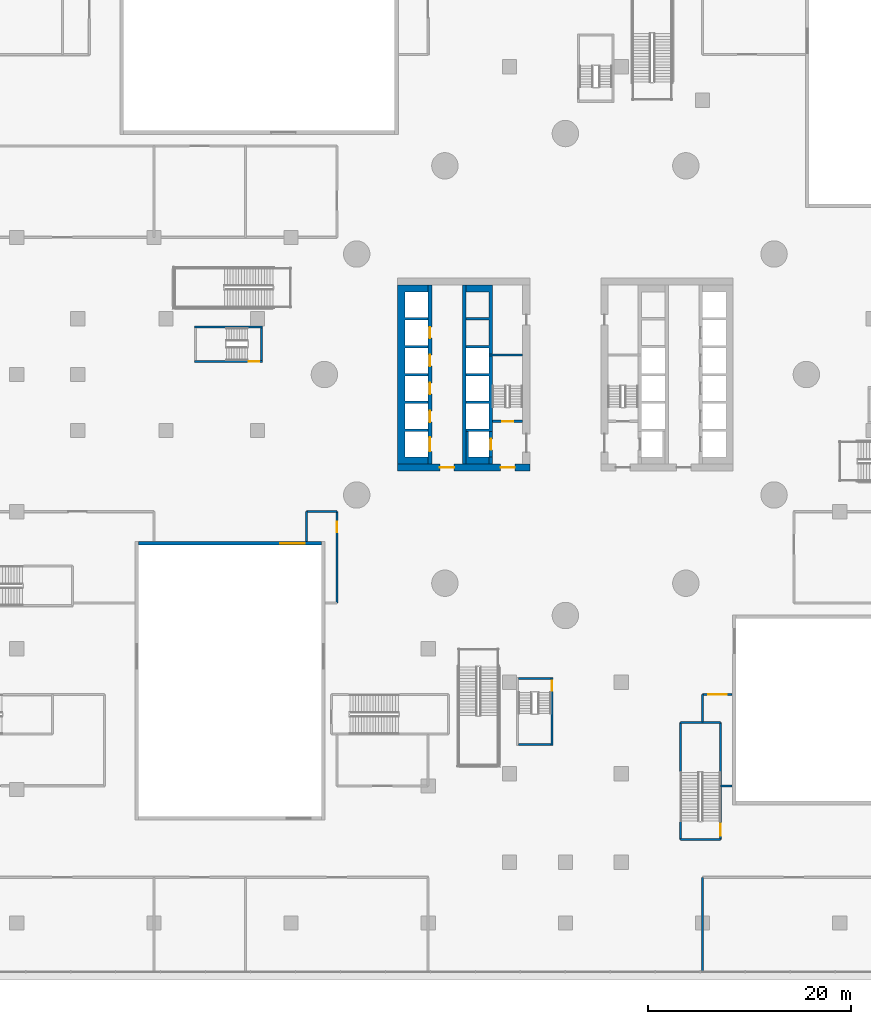
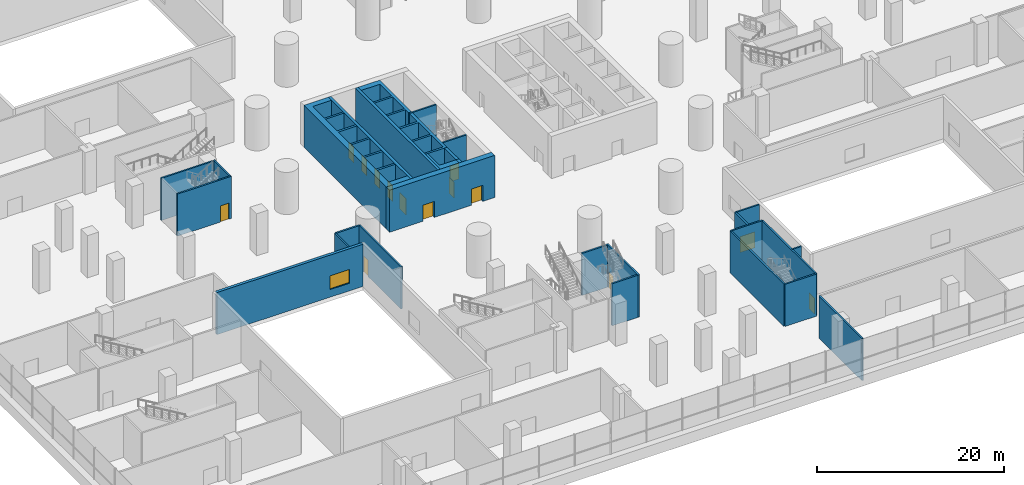
# One storey, part 29 of 52: 28 walls, 14 doors, 1 window, 15 openings.
"""IFC4 building model written with IfcOpenShell, lengths in metres."""

from ifc_helpers import new_model, si_unit, direction, frame, frame_2d, origin, place, context, subcontext, project, spatial, polyline, rectangle, outline, extrude, material, layer, layer_set, type_object, element, fill, save


model = new_model("IFC4")

# Units and contexts
model_context = context("Model", 3, precision=1e-05, world=origin(), true_north=direction((0.0, 1.0)))
body_context = subcontext(model_context, "Body", "Model", "MODEL_VIEW")
ifc_project = project(units=[si_unit("LENGTHUNIT", "METRE"), si_unit("AREAUNIT", "SQUARE_METRE"), si_unit("VOLUMEUNIT", "CUBIC_METRE"), si_unit("PLANEANGLEUNIT", "RADIAN"), si_unit("MASSUNIT", "GRAM", prefix="KILO")], contexts=[model_context])

# Site, building, storey
site_placement = place(None, origin())
site = spatial("IfcSite", under=ifc_project, at=site_placement, CompositionType="ELEMENT")
building_placement = place(site_placement, origin())
building = spatial("IfcBuilding", under=site, at=building_placement, Name="Tamarind Cross Interchange Tower", CompositionType="ELEMENT")
storey_placement = place(building_placement, frame((0.0, 0.0, 9.0)))
storey = spatial("IfcBuildingStorey", under=building, at=storey_placement, Name="L01", CompositionType="ELEMENT", Elevation=9.0)

# Wall, openings, doors
ifc_material_1 = material(Name="Concrete C80", Category="concrete")
ifc_layer_1 = layer(ifc_material_1, 0.699951171875)
ifc_layer_set_1 = layer_set([ifc_layer_1], Name="Concrete C80")
wall_type_1 = type_object("IfcWallType", Name="Core wall 700 mm Concrete C80", PredefinedType="SHEAR", material=ifc_layer_set_1)
wall_1_placement = place(storey_placement, frame((-16.5, -9.14990234375, 0.0), z_axis=(0.0, 0.0, 1.0), x_axis=(1.0, 0.0, 0.0)))
wall_1 = element("IfcWall", 1, at=wall_1_placement, inside=storey, type_object=wall_type_1, Name="Core wall CWL-L01-W-S", PredefinedType="SHEAR", context=body_context, shape_type="SweptSolid", body=[
    extrude(rectangle(XDim=13.0, YDim=0.699951171875, at=frame_2d((6.5, 0.0))), origin(), (0.0, 0.0, 1.0), 5.5),
])
opening_1_placement = place(wall_1_placement, frame((4.14990234375, 0.0, 0.0)))
opening_1 = element("IfcOpeningElement", 2, at=opening_1_placement, cuts=wall_1, Name="Opening DCW1", PredefinedType="OPENING", context=body_context, shape_type="SweptSolid", body=[
    extrude(rectangle(XDim=1.39990234375, YDim=2.10009765625, at=frame_2d((0.699951171875, 1.050048828125))), frame((0.0, 0.35986328125, 0.0), z_axis=(0.0, -1.0, 0.0), x_axis=(1.0, 0.0, 0.0)), (0.0, 0.0, 1.0), 0.719970703125),
])
opening_2_placement = place(wall_1_placement, frame((10.125, 0.0, 0.0)))
opening_2 = element("IfcOpeningElement", 3, at=opening_2_placement, cuts=wall_1, Name="Opening DCWF", PredefinedType="OPENING", context=body_context, shape_type="SweptSolid", body=[
    extrude(rectangle(XDim=1.39990234375, YDim=2.10009765625, at=frame_2d((0.699951171875, 1.050048828125))), frame((0.0, 0.35986328125, 0.0), z_axis=(0.0, -1.0, 0.0), x_axis=(1.0, 0.0, 0.0)), (0.0, 0.0, 1.0), 0.719970703125),
])
ifc_material_2 = material(Name="Steel, fire-resisting", Category="steel")
door_type_1 = type_object("IfcDoorType", Name="Core fire door 1400 x 2100 FD90", OperationType="SINGLE_SWING_LEFT", PredefinedType="DOOR", material=ifc_material_2)
door_1_placement = place(opening_1_placement, origin())
door_1 = element("IfcDoor", 4, at=door_1_placement, inside=storey, type_object=door_type_1, Name="L01 lift lobby door", OperationType="SINGLE_SWING_LEFT", OverallHeight=2.10009765625, OverallWidth=1.39990234375, PredefinedType="DOOR", context=body_context, shape_type="SweptSolid", body=[
    extrude(rectangle(XDim=1.39990234375, YDim=2.10009765625, at=frame_2d((0.699951171875, 1.050048828125))), frame((0.0, 0.02490234375, 0.0), z_axis=(0.0, -1.0, 0.0), x_axis=(1.0, 0.0, 0.0)), (0.0, 0.0, 1.0), 0.050048828125),
])
fill(opening_1, door_1)
door_2_placement = place(opening_2_placement, origin())
door_2 = element("IfcDoor", 5, at=door_2_placement, inside=storey, type_object=door_type_1, Name="L01 firefighting lobby end door", OperationType="SINGLE_SWING_LEFT", OverallHeight=2.10009765625, OverallWidth=1.39990234375, PredefinedType="DOOR", context=body_context, shape_type="SweptSolid", body=[
    extrude(rectangle(XDim=1.39990234375, YDim=2.10009765625, at=frame_2d((0.699951171875, 1.050048828125))), frame((0.0, 0.02490234375, 0.0), z_axis=(0.0, -1.0, 0.0), x_axis=(1.0, 0.0, 0.0)), (0.0, 0.0, 1.0), 0.050048828125),
])
fill(opening_2, door_2)

# Walls
wall_2_placement = place(storey_placement, origin())
element("IfcWall", 6, at=wall_2_placement, inside=storey, type_object=wall_type_1, Name="Core wall CWL-L01-W-A", PredefinedType="SHEAR", context=body_context, shape_type="SweptSolid", body=[
    extrude(outline(polyline([(-13.5, -8.800048828125), (-13.5, -8.125), (-15.800048828125, -8.125), (-15.800048828125, -5.625), (-13.5, -5.625), (-13.5, -5.375), (-15.800048828125, -5.375), (-15.800048828125, -2.875), (-13.5, -2.875), (-13.5, -2.625), (-15.800048828125, -2.625), (-15.800048828125, -0.125), (-13.5, -0.125), (-13.5, 0.125), (-15.800048828125, 0.125), (-15.800048828125, 2.625), (-13.5, 2.625), (-13.5, 2.875), (-15.800048828125, 2.875), (-15.800048828125, 5.375), (-13.5, 5.375), (-13.5, 5.625), (-15.800048828125, 5.625), (-15.800048828125, 8.125), (-13.5, 8.125), (-13.5, 8.800048828125), (-15.800048828125, 8.800048828125), (-16.5, 8.800048828125), (-16.5, -8.800048828125), (-15.800048828125, -8.800048828125), (-13.5, -8.800048828125)])), origin(), (0.0, 0.0, 1.0), 5.5),
])
ifc_layer_2 = layer(ifc_material_1, 0.199951171875)
ifc_layer_set_2 = layer_set([ifc_layer_2], Name="Concrete C80")
wall_type_2 = type_object("IfcWallType", Name="Core web wall 200 mm Concrete C80", PredefinedType="SHEAR", material=ifc_layer_set_2)
wall_3_placement = place(storey_placement, frame((-7.5, 1.89990234375, 0.0), z_axis=(0.0, 0.0, 1.0), x_axis=(1.0, 0.0, 0.0)))
element("IfcWall", 7, at=wall_3_placement, inside=storey, type_object=wall_type_2, Name="Core wall CWL-L01-W-BD", PredefinedType="SHEAR", context=body_context, shape_type="SweptSolid", body=[
    extrude(rectangle(XDim=3.300048828125, YDim=0.199951171875, at=frame_2d((1.64990234375, 0.0))), origin(), (0.0, 0.0, 1.0), 5.5),
])
ifc_layer_3 = layer(ifc_material_1, 0.35009765625)
ifc_layer_set_3 = layer_set([ifc_layer_3], Name="Concrete C80")
wall_type_3 = type_object("IfcWallType", Name="Core web wall 350 mm Concrete C80", PredefinedType="SHEAR", material=ifc_layer_set_3)
wall_4_placement = place(storey_placement, origin())
element("IfcWall", 8, at=wall_4_placement, inside=storey, type_object=wall_type_3, Name="Core wall CWL-L01-W-BN", PredefinedType="SHEAR", context=body_context, shape_type="SweptSolid", body=[
    extrude(outline(polyline([(-9.800048828125, -5.375), (-9.800048828125, -5.625), (-7.5, -5.625), (-7.14990234375, -5.625), (-7.14990234375, 8.800048828125), (-7.5, 8.800048828125), (-9.800048828125, 8.800048828125), (-9.800048828125, 8.125), (-7.5, 8.125), (-7.5, 5.625), (-9.800048828125, 5.625), (-9.800048828125, 5.375), (-7.5, 5.375), (-7.5, 2.875), (-9.800048828125, 2.875), (-9.800048828125, 2.625), (-7.5, 2.625), (-7.5, 0.125), (-9.800048828125, 0.125), (-9.800048828125, -0.125), (-7.5, -0.125), (-7.5, -2.625), (-9.800048828125, -2.625), (-9.800048828125, -2.875), (-7.5, -2.875), (-7.5, -5.375), (-9.800048828125, -5.375)])), origin(), (0.0, 0.0, 1.0), 5.5),
])
wall_5_placement = place(storey_placement, origin())
element("IfcWall", 9, at=wall_5_placement, inside=storey, type_object=wall_type_3, Name="Core wall CWL-L01-W-BS", PredefinedType="SHEAR", context=body_context, shape_type="SweptSolid", body=[
    extrude(outline(polyline([(-7.5, -8.125), (-9.550048828125, -8.125), (-9.550048828125, -5.625), (-9.800048828125, -5.625), (-9.800048828125, -8.125), (-9.800048828125, -8.800048828125), (-7.5, -8.800048828125), (-7.5, -8.125)])), origin(), (0.0, 0.0, 1.0), 5.5),
])
wall_6_placement = place(storey_placement, frame((-7.324951171875, -8.800048828125, 0.0), z_axis=(0.0, 0.0, 1.0), x_axis=(0.0, 1.0, 0.0)))
element("IfcWall", 10, at=wall_6_placement, inside=storey, type_object=wall_type_3, Name="Core wall CWL-L01-W-BW", PredefinedType="SHEAR", context=body_context, shape_type="SweptSolid", body=[
    extrude(rectangle(XDim=0.675048828125, YDim=0.35009765625, at=frame_2d((0.33740234375, 0.0))), origin(), (0.0, 0.0, 1.0), 5.5),
])

# Wall, openings, doors
wall_7_placement = place(storey_placement, frame((-13.324951171875, -8.800048828125, 0.0), z_axis=(0.0, 0.0, 1.0), x_axis=(0.0, 1.0, 0.0)))
wall_7 = element("IfcWall", 11, at=wall_7_placement, inside=storey, type_object=wall_type_3, Name="Core wall CWL-L01-W-LA", PredefinedType="SHEAR", context=body_context, shape_type="SweptSolid", body=[
    extrude(rectangle(XDim=17.60009765625, YDim=0.35009765625, at=frame_2d((8.800048828125, 0.0))), origin(), (0.0, 0.0, 1.0), 5.5),
])
opening_3_placement = place(wall_7_placement, frame((1.22509765625, 0.0, 0.0)))
opening_3 = element("IfcOpeningElement", 12, at=opening_3_placement, cuts=wall_7, Name="Opening LD1L01", PredefinedType="OPENING", context=body_context, shape_type="SweptSolid", body=[
    extrude(rectangle(XDim=1.39990234375, YDim=2.10009765625, at=frame_2d((0.699951171875, 1.050048828125))), frame((0.0, 0.18505859375, 0.0), z_axis=(0.0, -1.0, 0.0), x_axis=(1.0, 0.0, 0.0)), (0.0, 0.0, 1.0), 0.3701171875),
])
opening_4_placement = place(wall_7_placement, frame((4.125, 0.0, 0.0)))
opening_4 = element("IfcOpeningElement", 13, at=opening_4_placement, cuts=wall_7, Name="Opening LD2L01", PredefinedType="OPENING", context=body_context, shape_type="SweptSolid", body=[
    extrude(rectangle(XDim=1.10009765625, YDim=2.10009765625, at=frame_2d((0.550048828125, 1.050048828125))), frame((0.0, 0.18505859375, 0.0), z_axis=(0.0, -1.0, 0.0), x_axis=(1.0, 0.0, 0.0)), (0.0, 0.0, 1.0), 0.3701171875),
])
opening_5_placement = place(wall_7_placement, frame((6.875, 0.0, 0.0)))
opening_5 = element("IfcOpeningElement", 14, at=opening_5_placement, cuts=wall_7, Name="Opening LD3L01", PredefinedType="OPENING", context=body_context, shape_type="SweptSolid", body=[
    extrude(rectangle(XDim=1.10009765625, YDim=2.10009765625, at=frame_2d((0.550048828125, 1.050048828125))), frame((0.0, 0.18505859375, 0.0), z_axis=(0.0, -1.0, 0.0), x_axis=(1.0, 0.0, 0.0)), (0.0, 0.0, 1.0), 0.3701171875),
])
opening_6_placement = place(wall_7_placement, frame((9.625, 0.0, 0.0)))
opening_6 = element("IfcOpeningElement", 15, at=opening_6_placement, cuts=wall_7, Name="Opening LD4L01", PredefinedType="OPENING", context=body_context, shape_type="SweptSolid", body=[
    extrude(rectangle(XDim=1.10009765625, YDim=2.10009765625, at=frame_2d((0.550048828125, 1.050048828125))), frame((0.0, 0.18505859375, 0.0), z_axis=(0.0, -1.0, 0.0), x_axis=(1.0, 0.0, 0.0)), (0.0, 0.0, 1.0), 0.3701171875),
])
opening_7_placement = place(wall_7_placement, frame((12.375, 0.0, 0.0)))
opening_7 = element("IfcOpeningElement", 16, at=opening_7_placement, cuts=wall_7, Name="Opening LD5L01", PredefinedType="OPENING", context=body_context, shape_type="SweptSolid", body=[
    extrude(rectangle(XDim=1.10009765625, YDim=2.10009765625, at=frame_2d((0.550048828125, 1.050048828125))), frame((0.0, 0.18505859375, 0.0), z_axis=(0.0, -1.0, 0.0), x_axis=(1.0, 0.0, 0.0)), (0.0, 0.0, 1.0), 0.3701171875),
])
ifc_material_3 = material(Name="Stainless steel panel", Category="steel")
door_type_2 = type_object("IfcDoorType", Name="Lift landing door 1100 x 2100 E 120", OperationType="SLIDING_TO_LEFT", PredefinedType="DOOR", material=ifc_material_3)
door_3_placement = place(opening_4_placement, origin())
door_3 = element("IfcDoor", 17, at=door_3_placement, inside=storey, type_object=door_type_2, Name="L01 landing door LF2", OperationType="SLIDING_TO_LEFT", OverallHeight=2.10009765625, OverallWidth=1.10009765625, PredefinedType="DOOR", context=body_context, shape_type="SweptSolid", body=[
    extrude(rectangle(XDim=1.10009765625, YDim=2.10009765625, at=frame_2d((0.550048828125, 1.050048828125))), frame((0.0, 0.02490234375, 0.0), z_axis=(0.0, -1.0, 0.0), x_axis=(1.0, 0.0, 0.0)), (0.0, 0.0, 1.0), 0.050048828125),
])
fill(opening_4, door_3)
door_4_placement = place(opening_5_placement, origin())
door_4 = element("IfcDoor", 18, at=door_4_placement, inside=storey, type_object=door_type_2, Name="L01 landing door LF3", OperationType="SLIDING_TO_LEFT", OverallHeight=2.10009765625, OverallWidth=1.10009765625, PredefinedType="DOOR", context=body_context, shape_type="SweptSolid", body=[
    extrude(rectangle(XDim=1.10009765625, YDim=2.10009765625, at=frame_2d((0.550048828125, 1.050048828125))), frame((0.0, 0.02490234375, 0.0), z_axis=(0.0, -1.0, 0.0), x_axis=(1.0, 0.0, 0.0)), (0.0, 0.0, 1.0), 0.050048828125),
])
fill(opening_5, door_4)
door_5_placement = place(opening_6_placement, origin())
door_5 = element("IfcDoor", 19, at=door_5_placement, inside=storey, type_object=door_type_2, Name="L01 landing door LF4", OperationType="SLIDING_TO_LEFT", OverallHeight=2.10009765625, OverallWidth=1.10009765625, PredefinedType="DOOR", context=body_context, shape_type="SweptSolid", body=[
    extrude(rectangle(XDim=1.10009765625, YDim=2.10009765625, at=frame_2d((0.550048828125, 1.050048828125))), frame((0.0, 0.02490234375, 0.0), z_axis=(0.0, -1.0, 0.0), x_axis=(1.0, 0.0, 0.0)), (0.0, 0.0, 1.0), 0.050048828125),
])
fill(opening_6, door_5)
door_6_placement = place(opening_7_placement, origin())
door_6 = element("IfcDoor", 20, at=door_6_placement, inside=storey, type_object=door_type_2, Name="L01 landing door LF5", OperationType="SLIDING_TO_LEFT", OverallHeight=2.10009765625, OverallWidth=1.10009765625, PredefinedType="DOOR", context=body_context, shape_type="SweptSolid", body=[
    extrude(rectangle(XDim=1.10009765625, YDim=2.10009765625, at=frame_2d((0.550048828125, 1.050048828125))), frame((0.0, 0.02490234375, 0.0), z_axis=(0.0, -1.0, 0.0), x_axis=(1.0, 0.0, 0.0)), (0.0, 0.0, 1.0), 0.050048828125),
])
fill(opening_7, door_6)
door_type_3 = type_object("IfcDoorType", Name="Lift landing door 1400 x 2100 E 120", OperationType="SLIDING_TO_LEFT", PredefinedType="DOOR", material=ifc_material_3)
door_7_placement = place(opening_3_placement, origin())
door_7 = element("IfcDoor", 21, at=door_7_placement, inside=storey, type_object=door_type_3, Name="L01 landing door LF1", OperationType="SLIDING_TO_LEFT", OverallHeight=2.10009765625, OverallWidth=1.39990234375, PredefinedType="DOOR", context=body_context, shape_type="SweptSolid", body=[
    extrude(rectangle(XDim=1.39990234375, YDim=2.10009765625, at=frame_2d((0.699951171875, 1.050048828125))), frame((0.0, 0.02490234375, 0.0), z_axis=(0.0, -1.0, 0.0), x_axis=(1.0, 0.0, 0.0)), (0.0, 0.0, 1.0), 0.050048828125),
])
fill(opening_3, door_7)

# Wall
wall_8_placement = place(storey_placement, frame((-9.97509765625, -8.800048828125, 0.0), z_axis=(0.0, 0.0, 1.0), x_axis=(0.0, 1.0, 0.0)))
element("IfcWall", 22, at=wall_8_placement, inside=storey, type_object=wall_type_3, Name="Core wall CWL-L01-W-LB", PredefinedType="SHEAR", context=body_context, shape_type="SweptSolid", body=[
    extrude(rectangle(XDim=17.60009765625, YDim=0.35009765625, at=frame_2d((8.800048828125, 0.0))), origin(), (0.0, 0.0, 1.0), 5.5),
])

# Wall, opening, door
wall_9_placement = place(storey_placement, frame((-7.324951171875, -8.125, 0.0), z_axis=(0.0, 0.0, 1.0), x_axis=(0.0, 1.0, 0.0)))
wall_9 = element("IfcWall", 23, at=wall_9_placement, inside=storey, type_object=wall_type_3, Name="Core wall CWL-L01-W-FF", PredefinedType="SHEAR", context=body_context, shape_type="SweptSolid", body=[
    extrude(rectangle(XDim=2.5, YDim=0.35009765625, at=frame_2d((1.25, 0.0))), origin(), (0.0, 0.0, 1.0), 5.5),
])
opening_8_placement = place(wall_9_placement, frame((0.699951171875, 0.0, 0.0)))
opening_8 = element("IfcOpeningElement", 24, at=opening_8_placement, cuts=wall_9, Name="Opening LD7L01", PredefinedType="OPENING", context=body_context, shape_type="SweptSolid", body=[
    extrude(rectangle(XDim=1.10009765625, YDim=2.10009765625, at=frame_2d((0.550048828125, 1.050048828125))), frame((0.0, 0.18505859375, 0.0), z_axis=(0.0, -1.0, 0.0), x_axis=(1.0, 0.0, 0.0)), (0.0, 0.0, 1.0), 0.3701171875),
])
door_8_placement = place(opening_8_placement, origin())
door_8 = element("IfcDoor", 25, at=door_8_placement, inside=storey, type_object=door_type_2, Name="L01 landing door LF7", OperationType="SLIDING_TO_LEFT", OverallHeight=2.10009765625, OverallWidth=1.10009765625, PredefinedType="DOOR", context=body_context, shape_type="SweptSolid", body=[
    extrude(rectangle(XDim=1.10009765625, YDim=2.10009765625, at=frame_2d((0.550048828125, 1.050048828125))), frame((0.0, 0.02490234375, 0.0), z_axis=(0.0, -1.0, 0.0), x_axis=(1.0, 0.0, 0.0)), (0.0, 0.0, 1.0), 0.050048828125),
])
fill(opening_8, door_8)

# Walls
ifc_material_4 = material(Name="Masonry partition, fire-rated", Category="masonry")
ifc_layer_4 = layer(ifc_material_4, 0.199951171875)
ifc_layer_set_4 = layer_set([ifc_layer_4], Name="Masonry partition, fire-rated")
wall_type_4 = type_object("IfcWallType", Name="Fire partition 200 EI 120", PredefinedType="PARTITIONING", material=ifc_layer_set_4)
wall_10_placement = place(storey_placement, frame((13.5, -58.698974609375, 0.0), z_axis=(0.0, 0.0, 1.0), x_axis=(0.0, 1.0, 0.0)))
element("IfcWall", 26, at=wall_10_placement, inside=storey, type_object=wall_type_4, Name="L01 partition 88", PredefinedType="PARTITIONING", context=body_context, shape_type="SweptSolid", body=[
    extrude(rectangle(XDim=9.198974609375, YDim=0.199951171875, at=frame_2d((4.599609375, 0.0))), origin(), (0.0, 0.0, 1.0), 5.5),
])
wall_11_placement = place(storey_placement, frame((13.5, -34.219970703125, 0.0), z_axis=(0.0, 0.0, 1.0), x_axis=(0.0, 1.0, 0.0)))
element("IfcWall", 27, at=wall_11_placement, inside=storey, type_object=wall_type_4, Name="L01 partition 90", PredefinedType="PARTITIONING", context=body_context, shape_type="SweptSolid", body=[
    extrude(rectangle(XDim=2.719970703125, YDim=0.199951171875, at=frame_2d((1.35986328125, 0.0))), origin(), (0.0, 0.0, 1.0), 5.5),
])

# Wall, opening, door
wall_12_placement = place(storey_placement, frame((13.5, -31.5, 0.0), z_axis=(0.0, 0.0, 1.0), x_axis=(1.0, 0.0, 0.0)))
wall_12 = element("IfcWall", 28, at=wall_12_placement, inside=storey, type_object=wall_type_4, Name="L01 partition 91", PredefinedType="PARTITIONING", context=body_context, shape_type="SweptSolid", body=[
    extrude(rectangle(XDim=2.919921875, YDim=0.199951171875, at=frame_2d((1.4599609375, 0.0))), origin(), (0.0, 0.0, 1.0), 5.5),
])
opening_9_placement = place(wall_12_placement, frame((0.574951171875, 0.0, 0.0)))
opening_9 = element("IfcOpeningElement", 29, at=opening_9_placement, cuts=wall_12, Name="Opening DL01-46", PredefinedType="OPENING", context=body_context, shape_type="SweptSolid", body=[
    extrude(rectangle(XDim=1.800048828125, YDim=2.10009765625, at=frame_2d((0.89990234375, 1.050048828125))), frame((0.0, 0.10986328125, 0.0), z_axis=(0.0, -1.0, 0.0), x_axis=(1.0, 0.0, 0.0)), (0.0, 0.0, 1.0), 0.219970703125),
])
door_type_4 = type_object("IfcDoorType", Name="Podium door 1800 x 2100 FD60", OperationType="SINGLE_SWING_LEFT", PredefinedType="DOOR", material=ifc_material_2)
door_9_placement = place(opening_9_placement, origin())
door_9 = element("IfcDoor", 30, at=door_9_placement, inside=storey, type_object=door_type_4, Name="L01 door Beauty Salon 0130", OperationType="SINGLE_SWING_RIGHT", OverallHeight=2.10009765625, OverallWidth=1.800048828125, PredefinedType="DOOR", context=body_context, shape_type="SweptSolid", body=[
    extrude(rectangle(XDim=1.800048828125, YDim=2.10009765625, at=frame_2d((0.89990234375, 1.050048828125))), frame((0.0, 0.02490234375, 0.0), z_axis=(0.0, -1.0, 0.0), x_axis=(1.0, 0.0, 0.0)), (0.0, 0.0, 1.0), 0.050048828125),
])
fill(opening_9, door_9)

# Walls
wall_13_placement = place(storey_placement, frame((15.280029296875, -40.5, 0.0), z_axis=(0.0, 0.0, 1.0), x_axis=(1.0, 0.0, 0.0)))
element("IfcWall", 31, at=wall_13_placement, inside=storey, type_object=wall_type_4, Name="L01 partition 93", PredefinedType="PARTITIONING", context=body_context, shape_type="SweptSolid", body=[
    extrude(rectangle(XDim=1.139892578125, YDim=0.199951171875, at=frame_2d((0.56982421875, 0.0))), origin(), (0.0, 0.0, 1.0), 5.5),
])
ifc_layer_5 = layer(ifc_material_4, 0.199951171875)
ifc_layer_set_5 = layer_set([ifc_layer_5], Name="Masonry partition, fire-rated")
wall_type_5 = type_object("IfcWallType", Name="Fire partition 200 EI 90", PredefinedType="PARTITIONING", material=ifc_layer_set_5)
wall_14_placement = place(storey_placement, frame((-25.5, -16.419921875, 0.0), z_axis=(0.0, 0.0, 1.0), x_axis=(0.0, 1.0, 0.0)))
element("IfcWall", 32, at=wall_14_placement, inside=storey, type_object=wall_type_5, Name="L01 partition 78", PredefinedType="PARTITIONING", context=body_context, shape_type="SweptSolid", body=[
    extrude(rectangle(XDim=2.919921875, YDim=0.199951171875, at=frame_2d((1.4599609375, 0.0))), origin(), (0.0, 0.0, 1.0), 5.5),
])
wall_15_placement = place(storey_placement, frame((-25.5, -13.5, 0.0), z_axis=(0.0, 0.0, 1.0), x_axis=(1.0, 0.0, 0.0)))
element("IfcWall", 33, at=wall_15_placement, inside=storey, type_object=wall_type_5, Name="L01 partition 79", PredefinedType="PARTITIONING", context=body_context, shape_type="SweptSolid", body=[
    extrude(rectangle(XDim=3.0, YDim=0.199951171875, at=frame_2d((1.5, 0.0))), origin(), (0.0, 0.0, 1.0), 5.5),
])

# Wall, opening, door
wall_16_placement = place(storey_placement, frame((-22.5, -22.5, 0.0), z_axis=(0.0, 0.0, 1.0), x_axis=(0.0, 1.0, 0.0)))
wall_16 = element("IfcWall", 34, at=wall_16_placement, inside=storey, type_object=wall_type_5, Name="L01 partition 80", PredefinedType="PARTITIONING", context=body_context, shape_type="SweptSolid", body=[
    extrude(rectangle(XDim=9.0, YDim=0.199951171875, at=frame_2d((4.5, 0.0))), origin(), (0.0, 0.0, 1.0), 5.5),
])
opening_10_placement = place(wall_16_placement, frame((6.985107421875, 0.0, 0.0)))
opening_10 = element("IfcOpeningElement", 35, at=opening_10_placement, cuts=wall_16, Name="Opening DL01-34", PredefinedType="OPENING", context=body_context, shape_type="SweptSolid", body=[
    extrude(rectangle(XDim=1.0, YDim=2.10009765625, at=frame_2d((0.5, 1.050048828125))), frame((0.0, 0.10986328125, 0.0), z_axis=(0.0, -1.0, 0.0), x_axis=(1.0, 0.0, 0.0)), (0.0, 0.0, 1.0), 0.219970703125),
])
door_type_5 = type_object("IfcDoorType", Name="Podium door 1000 x 2100 FD60", OperationType="SINGLE_SWING_LEFT", PredefinedType="DOOR", material=ifc_material_2)
door_10_placement = place(opening_10_placement, origin())
door_10 = element("IfcDoor", 36, at=door_10_placement, inside=storey, type_object=door_type_5, Name="L01 door Women's Toilets L01SW", OperationType="SINGLE_SWING_RIGHT", OverallHeight=2.10009765625, OverallWidth=1.0, PredefinedType="DOOR", context=body_context, shape_type="SweptSolid", body=[
    extrude(rectangle(XDim=1.0, YDim=2.10009765625, at=frame_2d((0.5, 1.050048828125))), frame((0.0, 0.02490234375, 0.0), z_axis=(0.0, -1.0, 0.0), x_axis=(1.0, 0.0, 0.0)), (0.0, 0.0, 1.0), 0.050048828125),
])
fill(opening_10, door_10)

# Wall, opening, window
ifc_material_5 = material(Name="Precast concrete C40", Category="concrete")
ifc_layer_6 = layer(ifc_material_5, 0.35009765625)
ifc_layer_set_6 = layer_set([ifc_layer_6], Name="Precast concrete C40")
wall_type_6 = type_object("IfcWallType", Name="Podium facade wall", PredefinedType="SOLIDWALL", material=ifc_layer_set_6)
wall_17_placement = place(storey_placement, frame((-42.0, -16.625, 0.0), z_axis=(0.0, 0.0, 1.0), x_axis=(1.0, 0.0, 0.0)))
wall_17 = element("IfcWall", 37, at=wall_17_placement, inside=storey, type_object=wall_type_6, Name="CTW-L01-SWN00", PredefinedType="SOLIDWALL", context=body_context, shape_type="SweptSolid", body=[
    extrude(rectangle(XDim=18.0, YDim=0.35009765625, at=frame_2d((9.0, 0.0))), origin(), (0.0, 0.0, 1.0), 5.5),
])
opening_11_placement = place(wall_17_placement, frame((13.949951171875, 0.0, 1.0)))
opening_11 = element("IfcOpeningElement", 38, at=opening_11_placement, cuts=wall_17, Name="Opening W4", PredefinedType="OPENING", context=body_context, shape_type="SweptSolid", body=[
    extrude(rectangle(XDim=2.39990234375, YDim=1.800048828125, at=frame_2d((1.199951171875, 0.89990234375))), frame((0.0, 0.18505859375, 0.0), z_axis=(0.0, -1.0, 0.0), x_axis=(1.0, 0.0, 0.0)), (0.0, 0.0, 1.0), 0.3701171875),
])
ifc_material_6 = material(Name="Aluminium and toughened glass", Category="aluminium")
window_type = type_object("IfcWindowType", Name="Podium daylight window", PartitioningType="SINGLE_PANEL", PredefinedType="WINDOW", material=ifc_material_6)
window_placement = place(opening_11_placement, origin())
window = element("IfcWindow", 39, at=window_placement, inside=storey, type_object=window_type, Name="CTX-L01-SWN-01-00", OverallHeight=1.800048828125, OverallWidth=2.39990234375, PartitioningType="SINGLE_PANEL", PredefinedType="WINDOW", context=body_context, shape_type="SweptSolid", body=[
    extrude(rectangle(XDim=2.39990234375, YDim=1.800048828125, at=frame_2d((1.199951171875, 0.89990234375))), frame((0.0, 0.030029296875, 0.0), z_axis=(0.0, -1.0, 0.0), x_axis=(1.0, 0.0, 0.0)), (0.0, 0.0, 1.0), 0.06005859375),
])
fill(opening_11, window)

# Walls
ifc_material_7 = material(Name="Concrete C40", Category="concrete")
ifc_layer_7 = layer(ifc_material_7, 0.199951171875)
ifc_layer_set_7 = layer_set([ifc_layer_7], Name="Concrete C40")
wall_type_7 = type_object("IfcWallType", Name="Stair shaft wall 200 EI 180", PredefinedType="PARTITIONING", material=ifc_layer_set_7)
wall_18_placement = place(storey_placement, frame((11.35009765625, -45.75, 0.0), z_axis=(0.0, 0.0, 1.0), x_axis=(0.0, 1.0, 0.0)))
element("IfcWall", 40, at=wall_18_placement, inside=storey, type_object=wall_type_7, Name="L01 stair shaft wall 25", PredefinedType="PARTITIONING", context=body_context, shape_type="SweptSolid", body=[
    extrude(rectangle(XDim=11.5, YDim=0.199951171875, at=frame_2d((5.75, 0.0))), origin(), (0.0, 0.0, 1.0), 5.5),
])
wall_19_placement = place(storey_placement, frame((11.35009765625, -34.25, 0.0), z_axis=(0.0, 0.0, 1.0), x_axis=(1.0, 0.0, 0.0)))
element("IfcWall", 41, at=wall_19_placement, inside=storey, type_object=wall_type_7, Name="L01 stair shaft wall 26", PredefinedType="PARTITIONING", context=body_context, shape_type="SweptSolid", body=[
    extrude(rectangle(XDim=3.89990234375, YDim=0.199951171875, at=frame_2d((1.949951171875, 0.0))), origin(), (0.0, 0.0, 1.0), 5.5),
])

# Wall, opening, door
wall_20_placement = place(storey_placement, frame((15.25, -45.75, 0.0), z_axis=(0.0, 0.0, 1.0), x_axis=(0.0, 1.0, 0.0)))
wall_20 = element("IfcWall", 42, at=wall_20_placement, inside=storey, type_object=wall_type_7, Name="L01 stair shaft wall 27", PredefinedType="PARTITIONING", context=body_context, shape_type="SweptSolid", body=[
    extrude(rectangle(XDim=11.5, YDim=0.199951171875, at=frame_2d((5.75, 0.0))), origin(), (0.0, 0.0, 1.0), 5.5),
])
opening_12_placement = place(wall_20_placement, frame((0.325927734375, 0.0, 0.0)))
opening_12 = element("IfcOpeningElement", 43, at=opening_12_placement, cuts=wall_20, Name="Opening DL01-12", PredefinedType="OPENING", context=body_context, shape_type="SweptSolid", body=[
    extrude(rectangle(XDim=1.199951171875, YDim=2.10009765625, at=frame_2d((0.60009765625, 1.050048828125))), frame((0.0, 0.10986328125, 0.0), z_axis=(0.0, -1.0, 0.0), x_axis=(1.0, 0.0, 0.0)), (0.0, 0.0, 1.0), 0.219970703125),
])
door_type_6 = type_object("IfcDoorType", Name="Podium door 1200 x 2100 FD90", OperationType="SINGLE_SWING_LEFT", PredefinedType="DOOR", material=ifc_material_2)
door_11_placement = place(opening_12_placement, origin())
door_11 = element("IfcDoor", 44, at=door_11_placement, inside=storey, type_object=door_type_6, Name="L01 door Exit Stair PX12", OperationType="SINGLE_SWING_RIGHT", OverallHeight=2.10009765625, OverallWidth=1.199951171875, PredefinedType="DOOR", context=body_context, shape_type="SweptSolid", body=[
    extrude(rectangle(XDim=1.199951171875, YDim=2.10009765625, at=frame_2d((0.60009765625, 1.050048828125))), frame((0.0, 0.02490234375, 0.0), z_axis=(0.0, -1.0, 0.0), x_axis=(1.0, 0.0, 0.0)), (0.0, 0.0, 1.0), 0.050048828125),
])
fill(opening_12, door_11)

# Wall
wall_21_placement = place(storey_placement, frame((11.35009765625, -45.75, 0.0), z_axis=(0.0, 0.0, 1.0), x_axis=(1.0, 0.0, 0.0)))
element("IfcWall", 45, at=wall_21_placement, inside=storey, type_object=wall_type_7, Name="L01 stair shaft wall 28", PredefinedType="PARTITIONING", context=body_context, shape_type="SweptSolid", body=[
    extrude(rectangle(XDim=3.89990234375, YDim=0.199951171875, at=frame_2d((1.949951171875, 0.0))), origin(), (0.0, 0.0, 1.0), 5.5),
])

# Wall, opening, door
ifc_layer_8 = layer(ifc_material_7, 0.199951171875)
ifc_layer_set_8 = layer_set([ifc_layer_8], Name="Concrete C40")
wall_type_8 = type_object("IfcWallType", Name="Stair shaft wall 200 mm Concrete C40", PredefinedType="SHEAR", material=ifc_layer_set_8)
wall_22_placement = place(storey_placement, frame((-7.14990234375, -4.60009765625, 0.0), z_axis=(0.0, 0.0, 1.0), x_axis=(1.0, 0.0, 0.0)))
wall_22 = element("IfcWall", 46, at=wall_22_placement, inside=storey, type_object=wall_type_8, Name="Core wall CWL-L01-W-SD", PredefinedType="SHEAR", context=body_context, shape_type="SweptSolid", body=[
    extrude(rectangle(XDim=2.949951171875, YDim=0.199951171875, at=frame_2d((1.47509765625, 0.0))), origin(), (0.0, 0.0, 1.0), 5.5),
])
opening_13_placement = place(wall_22_placement, frame((0.925048828125, 0.0, 0.0)))
opening_13 = element("IfcOpeningElement", 47, at=opening_13_placement, cuts=wall_22, Name="Opening DCW6", PredefinedType="OPENING", context=body_context, shape_type="SweptSolid", body=[
    extrude(rectangle(XDim=1.10009765625, YDim=2.10009765625, at=frame_2d((0.550048828125, 1.050048828125))), frame((0.0, 0.10986328125, 0.0), z_axis=(0.0, -1.0, 0.0), x_axis=(1.0, 0.0, 0.0)), (0.0, 0.0, 1.0), 0.219970703125),
])
door_type_7 = type_object("IfcDoorType", Name="Core fire door 1100 x 2100 FD90", OperationType="SINGLE_SWING_LEFT", PredefinedType="DOOR", material=ifc_material_2)
door_12_placement = place(opening_13_placement, origin())
door_12 = element("IfcDoor", 48, at=door_12_placement, inside=storey, type_object=door_type_7, Name="L01 stair door", OperationType="SINGLE_SWING_LEFT", OverallHeight=2.10009765625, OverallWidth=1.10009765625, PredefinedType="DOOR", context=body_context, shape_type="SweptSolid", body=[
    extrude(rectangle(XDim=1.10009765625, YDim=2.10009765625, at=frame_2d((0.550048828125, 1.050048828125))), frame((0.0, 0.02490234375, 0.0), z_axis=(0.0, -1.0, 0.0), x_axis=(1.0, 0.0, 0.0)), (0.0, 0.0, 1.0), 0.050048828125),
])
fill(opening_13, door_12)

wall_23_placement = place(storey_placement, frame((-29.800048828125, 1.300048828125, 0.0), z_axis=(0.0, 0.0, 1.0), x_axis=(-1.0, 0.0, 0.0)))
wall_23 = element("IfcWall", 49, at=wall_23_placement, inside=storey, type_object=wall_type_8, Name="Core wall CWL-L01-ST5-H", PredefinedType="SHEAR", context=body_context, shape_type="SweptSolid", body=[
    extrude(rectangle(XDim=6.699951171875, YDim=0.199951171875, at=frame_2d((3.35009765625, 0.0))), origin(), (0.0, 0.0, 1.0), 5.5),
])
opening_14_placement = place(wall_23_placement, frame((0.35009765625, 0.0, 0.0)))
opening_14 = element("IfcOpeningElement", 50, at=opening_14_placement, cuts=wall_23, Name="Opening ST5L01", PredefinedType="OPENING", context=body_context, shape_type="SweptSolid", body=[
    extrude(rectangle(XDim=1.0, YDim=2.10009765625, at=frame_2d((0.5, 1.050048828125))), frame((0.0, 0.10986328125, 0.0), z_axis=(0.0, -1.0, 0.0), x_axis=(1.0, 0.0, 0.0)), (0.0, 0.0, 1.0), 0.219970703125),
])
door_type_8 = type_object("IfcDoorType", Name="Core fire door 1000 x 2100 FD90", OperationType="SINGLE_SWING_LEFT", PredefinedType="DOOR", material=ifc_material_2)
door_13_placement = place(opening_14_placement, origin())
door_13 = element("IfcDoor", 51, at=door_13_placement, inside=storey, type_object=door_type_8, Name="L01 stair door ST5", OperationType="SINGLE_SWING_LEFT", OverallHeight=2.10009765625, OverallWidth=1.0, PredefinedType="DOOR", context=body_context, shape_type="SweptSolid", body=[
    extrude(rectangle(XDim=1.0, YDim=2.10009765625, at=frame_2d((0.5, 1.050048828125))), frame((0.0, 0.02490234375, 0.0), z_axis=(0.0, -1.0, 0.0), x_axis=(1.0, 0.0, 0.0)), (0.0, 0.0, 1.0), 0.050048828125),
])
fill(opening_14, door_13)

# Walls
wall_24_placement = place(storey_placement, frame((-29.800048828125, 4.699951171875, 0.0), z_axis=(0.0, 0.0, 1.0), x_axis=(-1.0, 0.0, 0.0)))
element("IfcWall", 52, at=wall_24_placement, inside=storey, type_object=wall_type_8, Name="Core wall CWL-L01-ST5-C", PredefinedType="SHEAR", context=body_context, shape_type="SweptSolid", body=[
    extrude(rectangle(XDim=6.699951171875, YDim=0.199951171875, at=frame_2d((3.35009765625, 0.0))), origin(), (0.0, 0.0, 1.0), 5.5),
])
wall_25_placement = place(storey_placement, frame((-29.89990234375, 4.60009765625, 0.0), z_axis=(0.0, 0.0, 1.0), x_axis=(0.0, -1.0, 0.0)))
element("IfcWall", 53, at=wall_25_placement, inside=storey, type_object=wall_type_8, Name="Core wall CWL-L01-ST5-CE", PredefinedType="SHEAR", context=body_context, shape_type="SweptSolid", body=[
    extrude(rectangle(XDim=3.2001953125, YDim=0.199951171875, at=frame_2d((1.60009765625, 0.0))), origin(), (0.0, 0.0, 1.0), 5.5),
])

# Wall, opening, door
wall_26_placement = place(storey_placement, frame((-1.300048828125, -29.800048828125, 0.0), z_axis=(0.0, 0.0, 1.0), x_axis=(0.0, -1.0, 0.0)))
wall_26 = element("IfcWall", 54, at=wall_26_placement, inside=storey, type_object=wall_type_8, Name="Core wall CWL-L01-ST6-H", PredefinedType="SHEAR", context=body_context, shape_type="SweptSolid", body=[
    extrude(rectangle(XDim=6.699951171875, YDim=0.199951171875, at=frame_2d((3.35009765625, 0.0))), origin(), (0.0, 0.0, 1.0), 5.5),
])
opening_15_placement = place(wall_26_placement, frame((0.35009765625, 0.0, 0.0)))
opening_15 = element("IfcOpeningElement", 55, at=opening_15_placement, cuts=wall_26, Name="Opening ST6L01", PredefinedType="OPENING", context=body_context, shape_type="SweptSolid", body=[
    extrude(rectangle(XDim=1.0, YDim=2.10009765625, at=frame_2d((0.5, 1.050048828125))), frame((0.0, 0.10986328125, 0.0), z_axis=(0.0, -1.0, 0.0), x_axis=(1.0, 0.0, 0.0)), (0.0, 0.0, 1.0), 0.219970703125),
])
door_14_placement = place(opening_15_placement, origin())
door_14 = element("IfcDoor", 56, at=door_14_placement, inside=storey, type_object=door_type_8, Name="L01 stair door ST6", OperationType="SINGLE_SWING_LEFT", OverallHeight=2.10009765625, OverallWidth=1.0, PredefinedType="DOOR", context=body_context, shape_type="SweptSolid", body=[
    extrude(rectangle(XDim=1.0, YDim=2.10009765625, at=frame_2d((0.5, 1.050048828125))), frame((0.0, 0.02490234375, 0.0), z_axis=(0.0, -1.0, 0.0), x_axis=(1.0, 0.0, 0.0)), (0.0, 0.0, 1.0), 0.050048828125),
])
fill(opening_15, door_14)

# Walls
wall_27_placement = place(storey_placement, frame((-4.60009765625, -29.89990234375, 0.0), z_axis=(0.0, 0.0, 1.0), x_axis=(1.0, 0.0, 0.0)))
element("IfcWall", 57, at=wall_27_placement, inside=storey, type_object=wall_type_8, Name="Core wall CWL-L01-ST6-CE", PredefinedType="SHEAR", context=body_context, shape_type="SweptSolid", body=[
    extrude(rectangle(XDim=3.2001953125, YDim=0.199951171875, at=frame_2d((1.60009765625, 0.0))), origin(), (0.0, 0.0, 1.0), 5.5),
])
wall_28_placement = place(storey_placement, origin())
element("IfcWall", 58, at=wall_28_placement, inside=storey, type_object=wall_type_8, Name="Core wall CWL-L01-ST6-CF", PredefinedType="SHEAR", context=body_context, shape_type="SweptSolid", body=[
    extrude(outline(polyline([(-4.60009765625, -36.300048828125), (-4.60009765625, -36.5), (-1.39990234375, -36.5), (-1.39990234375, -36.300048828125), (-4.60009765625, -36.300048828125)])), origin(), (0.0, 0.0, 1.0), 5.5),
])

save(model, "model.ifc")
